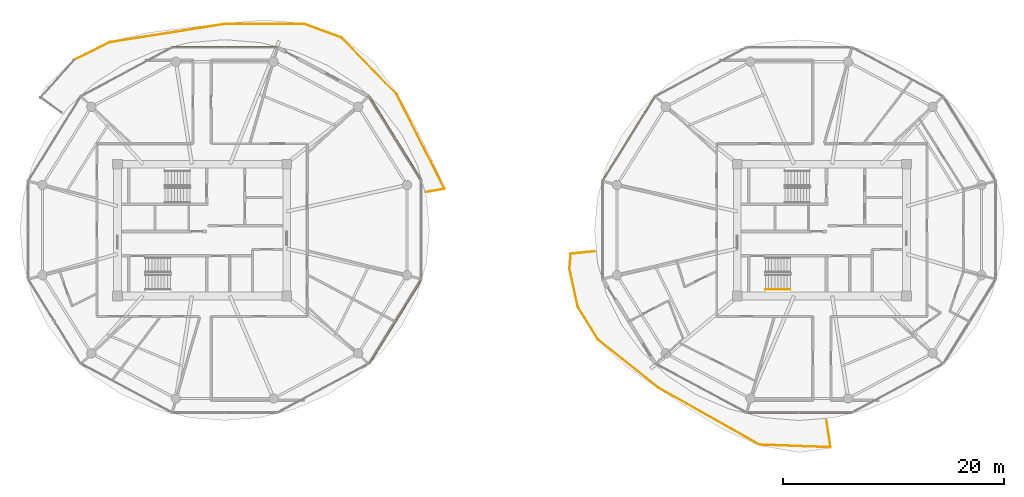
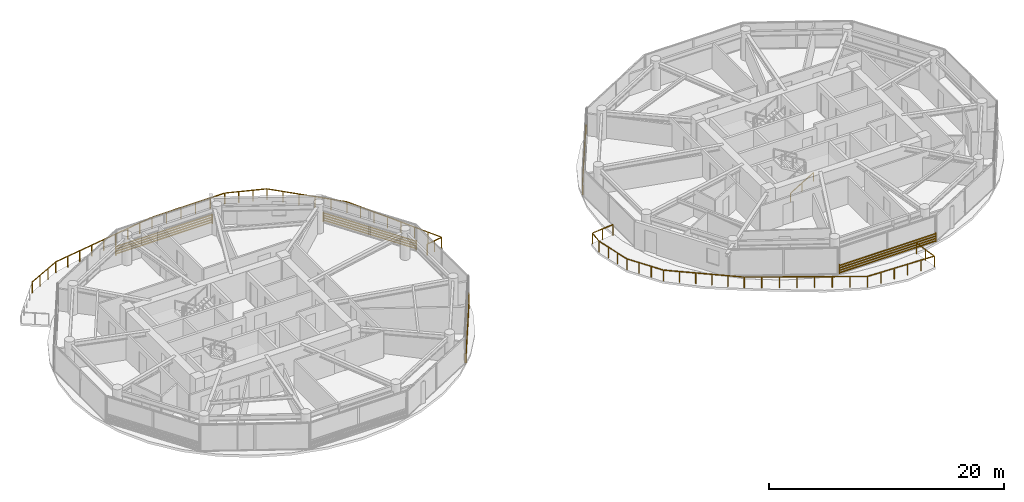
# One storey, part 22 of 23: 5 shading devices, 4 railings.
"""IFC4 building model written with IfcOpenShell, lengths in metres."""

from ifc_helpers import new_model, si_unit, direction, frame, origin, origin_2d, place, context, subcontext, project, spatial, rectangle, extrude, source, transform, mapped, material, type_object, type_shapes, element, save


model = new_model("IFC4")

# Units and contexts
model_context = context("Model", 3, precision=1e-05, world=origin(), true_north=direction((0.0, 1.0)))
body_context = subcontext(model_context, "Body", "Model", "MODEL_VIEW")
ifc_project = project(units=[si_unit("LENGTHUNIT", "METRE"), si_unit("AREAUNIT", "SQUARE_METRE"), si_unit("VOLUMEUNIT", "CUBIC_METRE"), si_unit("PLANEANGLEUNIT", "RADIAN"), si_unit("MASSUNIT", "GRAM", prefix="KILO")], contexts=[model_context])

# Site, building, storey
site_placement = place(None, origin())
site = spatial("IfcSite", under=ifc_project, at=site_placement, CompositionType="ELEMENT")
building_placement = place(site_placement, origin())
building = spatial("IfcBuilding", under=site, at=building_placement, Name="Norrkilde Senior Care Towers", CompositionType="ELEMENT")
storey_placement = place(building_placement, frame((0.0, 0.0, 81.0)))
storey = spatial("IfcBuildingStorey", under=building, at=storey_placement, Name="L24", CompositionType="ELEMENT", Elevation=81.0)

# Railings
ifc_material_1 = material(Name="Anodised Aluminium", Category="aluminium")
railing_type_1 = type_object("IfcRailingType", Name="Balcony Swirl Ribbon Guardrail 1150", PredefinedType="GUARDRAIL", material=ifc_material_1)
railing_1_placement = place(storey_placement, frame((22.34716796875, -19.38623046875, 0.0)))
element("IfcRailing", 1, at=railing_1_placement, inside=storey, type_object=railing_type_1, Name="L24 Perimeter Safety Guard 01", PredefinedType="GUARDRAIL", context=body_context, shape_type="SweptSolid", body=[
    extrude(rectangle(XDim=0.048095703125, YDim=0.048095703125, at=origin_2d()), frame((0.0, 0.0, 1.1259765625), z_axis=(-0.87080274718, 0.491632561477, 0.0), x_axis=(-0.491632561477, -0.87080274718, 0.0)), (0.0, 0.0, 1.0), 10.435791015625),
    extrude(rectangle(XDim=0.048095703125, YDim=0.048095703125, at=origin_2d()), frame((-9.155029296875, 5.176025390625, 1.1259765625), z_axis=(-0.781904388777, 0.623398369273, 0.0), x_axis=(-0.623398369273, -0.781904388777, 0.0)), (0.0, 0.0, 1.0), 6.857177734375),
    extrude(rectangle(XDim=0.048095703125, YDim=0.048095703125, at=origin_2d()), frame((-14.570068359375, 9.510986328125, 1.1259765625), z_axis=(-0.526056874654, 0.850449389811, 0.0), x_axis=(-0.850449389811, -0.526056874654, 0.0)), (0.0, 0.0, 1.0), 3.447265625),
    extrude(rectangle(XDim=0.048095703125, YDim=0.048095703125, at=origin_2d()), frame((-16.413818359375, 12.517578125, 1.1259765625), z_axis=(-0.212761593574, 0.977104141993, 0.0), x_axis=(-0.977104141993, -0.212761593574, 0.0)), (0.0, 0.0, 1.0), 3.429443359375),
    extrude(rectangle(XDim=0.048095703125, YDim=0.048095703125, at=origin_2d()), frame((-17.148681640625, 15.94921875, 1.1259765625), z_axis=(0.083510214631, 0.996506921226, 0.0), x_axis=(-0.996506921226, 0.083510214631, 0.0)), (0.0, 0.0, 1.0), 1.265869140625),
    extrude(rectangle(XDim=0.048095703125, YDim=0.048095703125, at=origin_2d()), frame((-16.998779296875, 17.255615234375, 1.1259765625), z_axis=(0.995087586819, 0.098998457355, 0.0), x_axis=(-0.098998457355, 0.995087586819, 0.0)), (0.0, 0.0, 1.0), 2.112060546875),
    extrude(rectangle(XDim=0.0419921875, YDim=0.0419921875, at=origin_2d()), origin(), (0.0, 0.0, 1.0), 1.099853515625),
    extrude(rectangle(XDim=0.0419921875, YDim=0.0419921875, at=origin_2d()), frame((-1.30322265625, 0.73583984375, 0.0)), (0.0, 0.0, 1.0), 1.099853515625),
    extrude(rectangle(XDim=0.0419921875, YDim=0.0419921875, at=origin_2d()), frame((-2.606689453125, 1.4716796875, 0.0)), (0.0, 0.0, 1.0), 1.099853515625),
    extrude(rectangle(XDim=0.0419921875, YDim=0.0419921875, at=origin_2d()), frame((-3.909912109375, 2.20751953125, 0.0)), (0.0, 0.0, 1.0), 1.099853515625),
    extrude(rectangle(XDim=0.0419921875, YDim=0.0419921875, at=origin_2d()), frame((-5.213134765625, 2.943115234375, 0.0)), (0.0, 0.0, 1.0), 1.099853515625),
    extrude(rectangle(XDim=0.0419921875, YDim=0.0419921875, at=origin_2d()), frame((-6.516357421875, 3.678955078125, 0.0)), (0.0, 0.0, 1.0), 1.099853515625),
    extrude(rectangle(XDim=0.0419921875, YDim=0.0419921875, at=origin_2d()), frame((-7.81982421875, 4.414794921875, 0.0)), (0.0, 0.0, 1.0), 1.099853515625),
    extrude(rectangle(XDim=0.0419921875, YDim=0.0419921875, at=origin_2d()), frame((-9.123046875, 5.150634765625, 0.0)), (0.0, 0.0, 1.0), 1.099853515625),
    extrude(rectangle(XDim=0.0419921875, YDim=0.0419921875, at=origin_2d()), frame((-10.208251953125, 6.015869140625, 0.0)), (0.0, 0.0, 1.0), 1.099853515625),
    extrude(rectangle(XDim=0.0419921875, YDim=0.0419921875, at=origin_2d()), frame((-11.293212890625, 6.880859375, 0.0)), (0.0, 0.0, 1.0), 1.099853515625),
    extrude(rectangle(XDim=0.0419921875, YDim=0.0419921875, at=origin_2d()), frame((-12.37841796875, 7.74609375, 0.0)), (0.0, 0.0, 1.0), 1.099853515625),
    extrude(rectangle(XDim=0.0419921875, YDim=0.0419921875, at=origin_2d()), frame((-13.46337890625, 8.611083984375, 0.0)), (0.0, 0.0, 1.0), 1.099853515625),
    extrude(rectangle(XDim=0.0419921875, YDim=0.0419921875, at=origin_2d()), frame((-14.548583984375, 9.476318359375, 0.0)), (0.0, 0.0, 1.0), 1.099853515625),
    extrude(rectangle(XDim=0.0419921875, YDim=0.0419921875, at=origin_2d()), frame((-15.16748046875, 10.476806640625, 0.0)), (0.0, 0.0, 1.0), 1.099853515625),
    extrude(rectangle(XDim=0.0419921875, YDim=0.0419921875, at=origin_2d()), frame((-15.7861328125, 11.47705078125, 0.0)), (0.0, 0.0, 1.0), 1.099853515625),
    extrude(rectangle(XDim=0.0419921875, YDim=0.0419921875, at=origin_2d()), frame((-16.405029296875, 12.4775390625, 0.0)), (0.0, 0.0, 1.0), 1.099853515625),
    extrude(rectangle(XDim=0.0419921875, YDim=0.0419921875, at=origin_2d()), frame((-16.654052734375, 13.62109375, 0.0)), (0.0, 0.0, 1.0), 1.099853515625),
    extrude(rectangle(XDim=0.0419921875, YDim=0.0419921875, at=origin_2d()), frame((-16.903076171875, 14.764892578125, 0.0)), (0.0, 0.0, 1.0), 1.099853515625),
    extrude(rectangle(XDim=0.0419921875, YDim=0.0419921875, at=origin_2d()), frame((-17.152099609375, 15.908447265625, 0.0)), (0.0, 0.0, 1.0), 1.099853515625),
    extrude(rectangle(XDim=0.0419921875, YDim=0.0419921875, at=origin_2d()), frame((-17.03955078125, 17.25146484375, 0.0)), (0.0, 0.0, 1.0), 1.099853515625),
    extrude(rectangle(XDim=0.0419921875, YDim=0.0419921875, at=origin_2d()), frame((-15.96826171875, 17.35791015625, 0.0)), (0.0, 0.0, 1.0), 1.099853515625),
    extrude(rectangle(XDim=0.0419921875, YDim=0.0419921875, at=origin_2d()), frame((-14.897216796875, 17.464599609375, 0.0)), (0.0, 0.0, 1.0), 1.099853515625),
])
railing_2_placement = place(storey_placement, frame((28.4189453125, -17.1796875, 0.0)))
element("IfcRailing", 2, at=railing_2_placement, inside=storey, type_object=railing_type_1, Name="L24 Perimeter Safety Guard 02", PredefinedType="GUARDRAIL", context=body_context, shape_type="SweptSolid", body=[
    extrude(rectangle(XDim=0.048095703125, YDim=0.048095703125, at=origin_2d()), frame((0.0, 0.0, 1.1259765625), z_axis=(0.14681056259, -0.989164626699, 0.0), x_axis=(0.989164626699, 0.14681056259, 0.0)), (0.0, 0.0, 1.0), 2.42529296875),
    extrude(rectangle(XDim=0.048095703125, YDim=0.048095703125, at=origin_2d()), frame((0.3212890625, -2.43798828125, 1.1259765625), z_axis=(-0.999345393929, 0.03617711478, 0.0), x_axis=(-0.03617711478, -0.999345393929, 0.0)), (0.0, 0.0, 1.0), 6.397216796875),
    extrude(rectangle(XDim=0.0419921875, YDim=0.0419921875, at=origin_2d()), origin(), (0.0, 0.0, 1.0), 1.099853515625),
    extrude(rectangle(XDim=0.0419921875, YDim=0.0419921875, at=origin_2d()), frame((0.18115234375, -1.2197265625, 0.0)), (0.0, 0.0, 1.0), 1.099853515625),
    extrude(rectangle(XDim=0.0419921875, YDim=0.0419921875, at=origin_2d()), frame((0.362060546875, -2.439453125, 0.0)), (0.0, 0.0, 1.0), 1.099853515625),
    extrude(rectangle(XDim=0.0419921875, YDim=0.0419921875, at=origin_2d()), frame((-0.9248046875, -2.392822265625, 0.0)), (0.0, 0.0, 1.0), 1.099853515625),
    extrude(rectangle(XDim=0.0419921875, YDim=0.0419921875, at=origin_2d()), frame((-2.21142578125, -2.34619140625, 0.0)), (0.0, 0.0, 1.0), 1.099853515625),
    extrude(rectangle(XDim=0.0419921875, YDim=0.0419921875, at=origin_2d()), frame((-3.498291015625, -2.2998046875, 0.0)), (0.0, 0.0, 1.0), 1.099853515625),
    extrude(rectangle(XDim=0.0419921875, YDim=0.0419921875, at=origin_2d()), frame((-4.784912109375, -2.253173828125, 0.0)), (0.0, 0.0, 1.0), 1.099853515625),
    extrude(rectangle(XDim=0.0419921875, YDim=0.0419921875, at=origin_2d()), frame((-6.07177734375, -2.20654296875, 0.0)), (0.0, 0.0, 1.0), 1.099853515625),
])
railing_3_placement = place(storey_placement, frame((-39.559814453125, 15.372802734375, 0.0)))
element("IfcRailing", 3, at=railing_3_placement, inside=storey, type_object=railing_type_1, Name="L24 Perimeter Safety Guard 03", PredefinedType="GUARDRAIL", context=body_context, shape_type="SweptSolid", body=[
    extrude(rectangle(XDim=0.048095703125, YDim=0.048095703125, at=origin_2d()), frame((0.0, 0.0, 1.1259765625), z_axis=(0.896570054331, 0.44290195041, 0.0), x_axis=(-0.44290195041, 0.896570054331, 0.0)), (0.0, 0.0, 1.0), 3.564697265625),
    extrude(rectangle(XDim=0.048095703125, YDim=0.048095703125, at=origin_2d()), frame((3.27294921875, 1.603271484375, 1.1259765625), z_axis=(0.987631590934, 0.156792348628, 0.0), x_axis=(-0.156792348628, 0.987631590934, 0.0)), (0.0, 0.0, 1.0), 10.433349609375),
    extrude(rectangle(XDim=0.048095703125, YDim=0.048095703125, at=origin_2d()), frame((13.658447265625, 3.24560546875, 1.1259765625), z_axis=(0.999999607251, 0.000886282717, 0.0), x_axis=(-0.000886282717, 0.999999607251, 0.0)), (0.0, 0.0, 1.0), 7.080322265625),
    extrude(rectangle(XDim=0.048095703125, YDim=0.048095703125, at=origin_2d()), frame((20.818115234375, 3.23779296875, 1.1259765625), z_axis=(0.939055106182, -0.343766646947, 0.0), x_axis=(0.343766646947, 0.939055106182, 0.0)), (0.0, 0.0, 1.0), 3.549560546875),
    extrude(rectangle(XDim=0.048095703125, YDim=0.048095703125, at=origin_2d()), frame((24.21826171875, 1.974365234375, 1.1259765625), z_axis=(0.697173282675, -0.716902653032, 0.0), x_axis=(0.716902653032, 0.697173282675, 0.0)), (0.0, 0.0, 1.0), 7.0087890625),
    extrude(rectangle(XDim=0.048095703125, YDim=0.048095703125, at=origin_2d()), frame((29.151611328125, -3.115966796875, 1.1259765625), z_axis=(0.451687956405, -0.892175986024, 0.0), x_axis=(0.892175986024, 0.451687956405, 0.0)), (0.0, 0.0, 1.0), 9.509521484375),
    extrude(rectangle(XDim=0.048095703125, YDim=0.048095703125, at=origin_2d()), frame((33.425048828125, -11.64404296875, 1.1259765625), z_axis=(-0.983483787133, -0.180996244289, 0.0), x_axis=(0.180996244289, -0.983483787133, 0.0)), (0.0, 0.0, 1.0), 1.56689453125),
    extrude(rectangle(XDim=0.0419921875, YDim=0.0419921875, at=origin_2d()), origin(), (0.0, 0.0, 1.0), 1.099853515625),
    extrude(rectangle(XDim=0.0419921875, YDim=0.0419921875, at=origin_2d()), frame((1.07763671875, 0.5322265625, 0.0)), (0.0, 0.0, 1.0), 1.099853515625),
    extrude(rectangle(XDim=0.0419921875, YDim=0.0419921875, at=origin_2d()), frame((2.155029296875, 1.064697265625, 0.0)), (0.0, 0.0, 1.0), 1.099853515625),
    extrude(rectangle(XDim=0.0419921875, YDim=0.0419921875, at=origin_2d()), frame((3.232666015625, 1.596923828125, 0.0)), (0.0, 0.0, 1.0), 1.099853515625),
    extrude(rectangle(XDim=0.0419921875, YDim=0.0419921875, at=origin_2d()), frame((4.53076171875, 1.802978515625, 0.0)), (0.0, 0.0, 1.0), 1.099853515625),
    extrude(rectangle(XDim=0.0419921875, YDim=0.0419921875, at=origin_2d()), frame((5.828857421875, 2.009033203125, 0.0)), (0.0, 0.0, 1.0), 1.099853515625),
    extrude(rectangle(XDim=0.0419921875, YDim=0.0419921875, at=origin_2d()), frame((7.126953125, 2.215087890625, 0.0)), (0.0, 0.0, 1.0), 1.099853515625),
    extrude(rectangle(XDim=0.0419921875, YDim=0.0419921875, at=origin_2d()), frame((8.42529296875, 2.42138671875, 0.0)), (0.0, 0.0, 1.0), 1.099853515625),
    extrude(rectangle(XDim=0.0419921875, YDim=0.0419921875, at=origin_2d()), frame((9.723388671875, 2.62744140625, 0.0)), (0.0, 0.0, 1.0), 1.099853515625),
    extrude(rectangle(XDim=0.0419921875, YDim=0.0419921875, at=origin_2d()), frame((11.021484375, 2.83349609375, 0.0)), (0.0, 0.0, 1.0), 1.099853515625),
    extrude(rectangle(XDim=0.0419921875, YDim=0.0419921875, at=origin_2d()), frame((12.319580078125, 3.03955078125, 0.0)), (0.0, 0.0, 1.0), 1.099853515625),
    extrude(rectangle(XDim=0.0419921875, YDim=0.0419921875, at=origin_2d()), frame((13.61767578125, 3.24560546875, 0.0)), (0.0, 0.0, 1.0), 1.099853515625),
    extrude(rectangle(XDim=0.0419921875, YDim=0.0419921875, at=origin_2d()), frame((15.050048828125, 3.246826171875, 0.0)), (0.0, 0.0, 1.0), 1.099853515625),
    extrude(rectangle(XDim=0.0419921875, YDim=0.0419921875, at=origin_2d()), frame((16.482421875, 3.248046875, 0.0)), (0.0, 0.0, 1.0), 1.099853515625),
    extrude(rectangle(XDim=0.0419921875, YDim=0.0419921875, at=origin_2d()), frame((17.9150390625, 3.24951171875, 0.0)), (0.0, 0.0, 1.0), 1.099853515625),
    extrude(rectangle(XDim=0.0419921875, YDim=0.0419921875, at=origin_2d()), frame((19.347412109375, 3.250732421875, 0.0)), (0.0, 0.0, 1.0), 1.099853515625),
    extrude(rectangle(XDim=0.0419921875, YDim=0.0419921875, at=origin_2d()), frame((20.77978515625, 3.251953125, 0.0)), (0.0, 0.0, 1.0), 1.099853515625),
    extrude(rectangle(XDim=0.0419921875, YDim=0.0419921875, at=origin_2d()), frame((21.91650390625, 2.8359375, 0.0)), (0.0, 0.0, 1.0), 1.099853515625),
    extrude(rectangle(XDim=0.0419921875, YDim=0.0419921875, at=origin_2d()), frame((23.052978515625, 2.419677734375, 0.0)), (0.0, 0.0, 1.0), 1.099853515625),
    extrude(rectangle(XDim=0.0419921875, YDim=0.0419921875, at=origin_2d()), frame((24.189697265625, 2.003662109375, 0.0)), (0.0, 0.0, 1.0), 1.099853515625),
    extrude(rectangle(XDim=0.0419921875, YDim=0.0419921875, at=origin_2d()), frame((25.178466796875, 0.987060546875, 0.0)), (0.0, 0.0, 1.0), 1.099853515625),
    extrude(rectangle(XDim=0.0419921875, YDim=0.0419921875, at=origin_2d()), frame((26.1669921875, -0.029541015625, 0.0)), (0.0, 0.0, 1.0), 1.099853515625),
    extrude(rectangle(XDim=0.0419921875, YDim=0.0419921875, at=origin_2d()), frame((27.15576171875, -1.04638671875, 0.0)), (0.0, 0.0, 1.0), 1.099853515625),
    extrude(rectangle(XDim=0.0419921875, YDim=0.0419921875, at=origin_2d()), frame((28.144287109375, -2.06298828125, 0.0)), (0.0, 0.0, 1.0), 1.099853515625),
    extrude(rectangle(XDim=0.0419921875, YDim=0.0419921875, at=origin_2d()), frame((29.133056640625, -3.07958984375, 0.0)), (0.0, 0.0, 1.0), 1.099853515625),
    extrude(rectangle(XDim=0.0419921875, YDim=0.0419921875, at=origin_2d()), frame((29.751953125, -4.302001953125, 0.0)), (0.0, 0.0, 1.0), 1.099853515625),
    extrude(rectangle(XDim=0.0419921875, YDim=0.0419921875, at=origin_2d()), frame((30.370849609375, -5.5244140625, 0.0)), (0.0, 0.0, 1.0), 1.099853515625),
    extrude(rectangle(XDim=0.0419921875, YDim=0.0419921875, at=origin_2d()), frame((30.98974609375, -6.746826171875, 0.0)), (0.0, 0.0, 1.0), 1.099853515625),
    extrude(rectangle(XDim=0.0419921875, YDim=0.0419921875, at=origin_2d()), frame((31.608642578125, -7.969482421875, 0.0)), (0.0, 0.0, 1.0), 1.099853515625),
    extrude(rectangle(XDim=0.0419921875, YDim=0.0419921875, at=origin_2d()), frame((32.2275390625, -9.19189453125, 0.0)), (0.0, 0.0, 1.0), 1.099853515625),
    extrude(rectangle(XDim=0.0419921875, YDim=0.0419921875, at=origin_2d()), frame((32.846435546875, -10.414306640625, 0.0)), (0.0, 0.0, 1.0), 1.099853515625),
    extrude(rectangle(XDim=0.0419921875, YDim=0.0419921875, at=origin_2d()), frame((33.46533203125, -11.63671875, 0.0)), (0.0, 0.0, 1.0), 1.099853515625),
    extrude(rectangle(XDim=0.0419921875, YDim=0.0419921875, at=origin_2d()), frame((32.6748046875, -11.7822265625, 0.0)), (0.0, 0.0, 1.0), 1.099853515625),
    extrude(rectangle(XDim=0.0419921875, YDim=0.0419921875, at=origin_2d()), frame((31.884033203125, -11.927734375, 0.0)), (0.0, 0.0, 1.0), 1.099853515625),
])
ifc_material_2 = material(Name="Nordic Ash Timber", Category="wood")
railing_type_2 = type_object("IfcRailingType", Name="Wall and Stair Handrail 900", PredefinedType="HANDRAIL", material=ifc_material_2)
railing_4_placement = place(storey_placement, frame((22.89990234375, -5.35009765625, 0.16943359375)))
element("IfcRailing", 4, at=railing_4_placement, inside=storey, type_object=railing_type_2, Name="L24 ST-E2 stair handrail 1", PredefinedType="HANDRAIL", context=body_context, shape_type="SweptSolid", body=[
    extrude(rectangle(XDim=0.048095703125, YDim=0.048095703125, at=origin_2d()), frame((0.0, 0.0, 0.8759765625), z_axis=(0.855553338991, 0.0, 0.51771467445), x_axis=(0.0, 1.0, 0.0)), (0.0, 0.0, 1.0), 2.6181640625),
    extrude(rectangle(XDim=0.0419921875, YDim=0.0419921875, at=origin_2d()), origin(), (0.0, 0.0, 1.0), 0.849853515625),
    extrude(rectangle(XDim=0.0419921875, YDim=0.0419921875, at=origin_2d()), frame((1.1201171875, 0.0, 0.677734375)), (0.0, 0.0, 1.0), 0.849853515625),
    extrude(rectangle(XDim=0.0419921875, YDim=0.0419921875, at=origin_2d()), frame((2.239990234375, 0.0, 1.35546875)), (0.0, 0.0, 1.0), 0.849853515625),
])

# Shading devices
ifc_material_3 = material(Name="Architectural Terracotta", Category="masonry")
shading_device_type = type_object("IfcShadingDeviceType", Name="Horizontal Terracotta Baguette Rack", PredefinedType="USERDEFINED", material=ifc_material_3)
shared_shape_1 = source(origin(), body_context, "Body", "SweptSolid", [
    extrude(rectangle(XDim=0.070068359375, YDim=0.110107421875, at=origin_2d()), frame((0.0, 0.090087890625, 0.125), z_axis=(1.0, 0.0, 0.0), x_axis=(0.0, 1.0, 0.0)), (0.0, 0.0, 1.0), 9.01416015625),
    extrude(rectangle(XDim=0.070068359375, YDim=0.110107421875, at=origin_2d()), frame((0.0, 0.090087890625, 0.375), z_axis=(1.0, 0.0, 0.0), x_axis=(0.0, 1.0, 0.0)), (0.0, 0.0, 1.0), 9.01416015625),
    extrude(rectangle(XDim=0.070068359375, YDim=0.110107421875, at=origin_2d()), frame((0.0, 0.090087890625, 0.625), z_axis=(1.0, 0.0, 0.0), x_axis=(0.0, 1.0, 0.0)), (0.0, 0.0, 1.0), 9.01416015625),
    extrude(rectangle(XDim=0.070068359375, YDim=0.110107421875, at=origin_2d()), frame((0.0, 0.090087890625, 0.875), z_axis=(1.0, 0.0, 0.0), x_axis=(0.0, 1.0, 0.0)), (0.0, 0.0, 1.0), 9.01416015625),
    extrude(rectangle(XDim=0.050048828125, YDim=0.1552734375, at=origin_2d()), frame((0.02490234375, 0.047607421875, 0.0)), (0.0, 0.0, 1.0), 1.0),
    extrude(rectangle(XDim=0.050048828125, YDim=0.1552734375, at=origin_2d()), frame((8.9892578125, 0.047607421875, 0.0)), (0.0, 0.0, 1.0), 1.0),
])
for number, where, z_axis, x_axis, name in (
    (5, (-12.953369140625, 12.077392578125, 0.080078125), (0.0, 0.0, 1.0), (0.527734142246, -0.849412274525, 0.0), "L24 Drum W Terracotta Baguette Screen 00"),
    (6, (-8.1962890625, -4.420654296875, 0.080078125), (0.0, 0.0, 1.0), (-0.527734142246, -0.849412274525, 0.0), "L24 Drum W Terracotta Baguette Screen 10"),
    (7, (8.1962890625, 4.420654296875, 0.080078125), (0.0, 0.0, 1.0), (0.527734142246, 0.849412274525, 0.0), "L24 Drum E Terracotta Baguette Screen 04"),
):
    element("IfcShadingDevice", number, at=place(storey_placement, frame(where, z_axis=z_axis, x_axis=x_axis)), inside=storey, type_object=shading_device_type, Name=name, ObjectType="BAGUETTE", PredefinedType="USERDEFINED", context=body_context, shape_type="MappedRepresentation", body=[
        mapped(shared_shape_1, transform((0.0, 0.0, 0.0), x_axis=(1.0, 0.0, 0.0), y_axis=(0.0, 1.0, 0.0), z_axis=(0.0, 0.0, 1.0), scale=1.0)),
    ])
shared_shape_2 = source(origin(), body_context, "Body", "SweptSolid", [
    extrude(rectangle(XDim=0.070068359375, YDim=0.110107421875, at=origin_2d()), frame((0.0, 0.090087890625, 0.125), z_axis=(1.0, 0.0, 0.0), x_axis=(0.0, 1.0, 0.0)), (0.0, 0.0, 1.0), 9.51416015625),
    extrude(rectangle(XDim=0.070068359375, YDim=0.110107421875, at=origin_2d()), frame((0.0, 0.090087890625, 0.375), z_axis=(1.0, 0.0, 0.0), x_axis=(0.0, 1.0, 0.0)), (0.0, 0.0, 1.0), 9.51416015625),
    extrude(rectangle(XDim=0.070068359375, YDim=0.110107421875, at=origin_2d()), frame((0.0, 0.090087890625, 0.625), z_axis=(1.0, 0.0, 0.0), x_axis=(0.0, 1.0, 0.0)), (0.0, 0.0, 1.0), 9.51416015625),
    extrude(rectangle(XDim=0.070068359375, YDim=0.110107421875, at=origin_2d()), frame((0.0, 0.090087890625, 0.875), z_axis=(1.0, 0.0, 0.0), x_axis=(0.0, 1.0, 0.0)), (0.0, 0.0, 1.0), 9.51416015625),
    extrude(rectangle(XDim=0.050048828125, YDim=0.1552734375, at=origin_2d()), frame((0.02490234375, 0.047607421875, 0.0)), (0.0, 0.0, 1.0), 1.0),
    extrude(rectangle(XDim=0.050048828125, YDim=0.1552734375, at=origin_2d()), frame((9.4892578125, 0.047607421875, 0.0)), (0.0, 0.0, 1.0), 1.0),
])
type_shapes(shading_device_type, [shared_shape_1, shared_shape_2])
for number, where, z_axis, x_axis, name in (
    (8, (-30.70703125, 16.498046875, 0.080078125), (0.0, 0.0, 1.0), (1.0, 0.0, 0.0), "L24 Drum W Terracotta Baguette Screen 02"),
    (9, (30.70703125, -16.498046875, 0.080078125), (0.0, 0.0, 1.0), (-1.0, 0.0, 0.0), "L24 Drum E Terracotta Baguette Screen 08"),
):
    element("IfcShadingDevice", number, at=place(storey_placement, frame(where, z_axis=z_axis, x_axis=x_axis)), inside=storey, type_object=shading_device_type, Name=name, ObjectType="BAGUETTE", PredefinedType="USERDEFINED", context=body_context, shape_type="MappedRepresentation", body=[
        mapped(shared_shape_2, transform((0.0, 0.0, 0.0), x_axis=(1.0, 0.0, 0.0), y_axis=(0.0, 1.0, 0.0), z_axis=(0.0, 0.0, 1.0), scale=1.0)),
    ])

save(model, "model.ifc")
